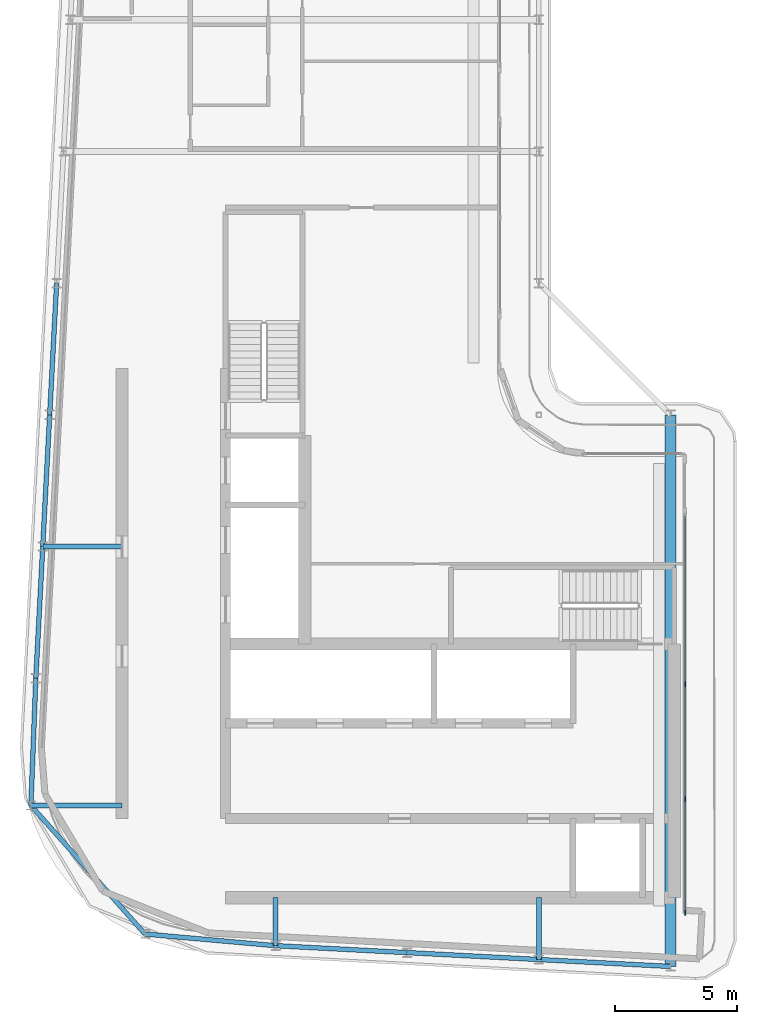
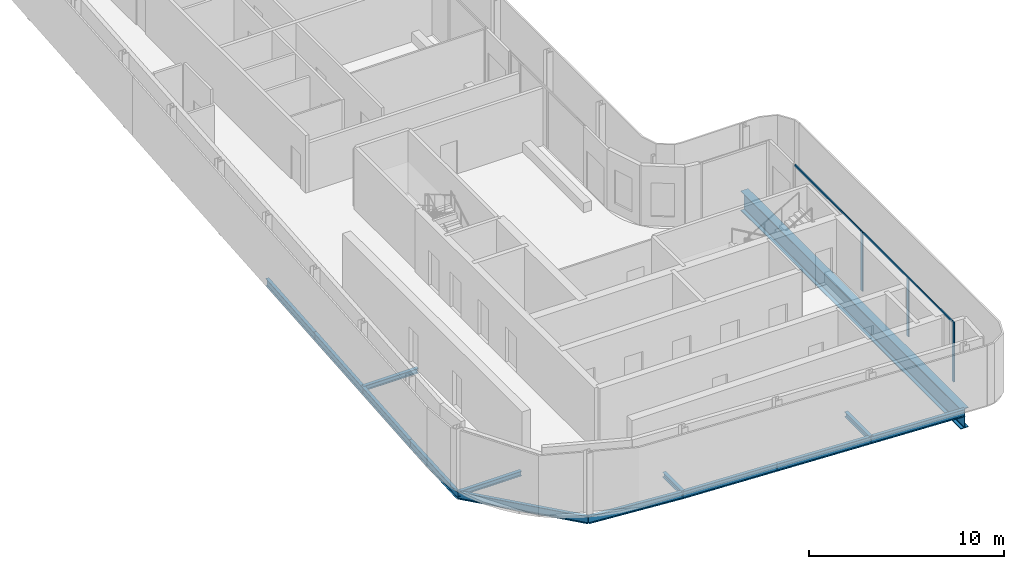
# One storey, part 4 of 18: 14 beams, 5 members, 2 elements without a shape of their own.
"""IFC4 building model written with IfcOpenShell, lengths in metres."""

from ifc_helpers import new_model, si_unit, direction, frame, origin, origin_2d, place, context, subcontext, project, spatial, rectangle, i_section, extrude, material, layer, layer_set, material_profile, profile_set, type_object, element, aggregate, save


model = new_model("IFC4")

# Units and contexts
model_context = context("Model", 3, precision=1e-05, world=origin(), true_north=direction((0.0, 1.0)))
body_context = subcontext(model_context, "Body", "Model", "MODEL_VIEW")
ifc_project = project(units=[si_unit("LENGTHUNIT", "METRE"), si_unit("AREAUNIT", "SQUARE_METRE"), si_unit("VOLUMEUNIT", "CUBIC_METRE"), si_unit("PLANEANGLEUNIT", "RADIAN"), si_unit("MASSUNIT", "GRAM", prefix="KILO")], contexts=[model_context])

# Site, building, storey
site_placement = place(None, origin())
site = spatial("IfcSite", under=ifc_project, at=site_placement, CompositionType="ELEMENT")
building_placement = place(site_placement, origin())
building = spatial("IfcBuilding", under=site, at=building_placement, Name="Kheshtan School and Residences Tower", CompositionType="ELEMENT")
storey_placement = place(building_placement, frame((0.0, 0.0, 365.60009765625)))
storey = spatial("IfcBuildingStorey", under=building, at=storey_placement, Name="L86", CompositionType="ELEMENT", Elevation=365.60009765625)

# Beams
ifc_material_1 = material(Name="Steel ASTM A992 Grade 50", Category="steel")
ifc_material_profile_1 = material_profile(ifc_material_1, i_section(OverallWidth=0.202880859375, OverallDepth=0.302978515625, WebThickness=0.007568359375, FlangeThickness=0.01318359375, FilletRadius=0.009033203125, at=origin_2d()), Name="W310x60")
ifc_profile_set_1 = profile_set([ifc_material_profile_1], Name="Steel ASTM A992 Grade 50")
beam_type_1 = type_object("IfcBeamType", Name="Beam FB1 W310x60 ASTM A992 Grade 50", PredefinedType="BEAM", material=ifc_profile_set_1)
beam_1_placement = place(storey_placement, frame((47.60009765625, 23.263916015625, -0.301513671875), z_axis=(0.0, 1.0, 0.0), x_axis=(-1.0, 0.0, 0.0)))
element("IfcBeam", 1, at=beam_1_placement, inside=storey, type_object=beam_type_1, Name="Floor beam C020", PredefinedType="BEAM", context=body_context, shape_type="SweptSolid", body=[
    extrude(i_section(OverallWidth=0.202880859375, OverallDepth=0.302978515625, WebThickness=0.007568359375, FlangeThickness=0.01318359375, FilletRadius=0.009033203125, at=origin_2d()), origin(), (0.0, 0.0, 1.0), 2.5361328125),
])
beam_2_placement = place(storey_placement, frame((36.800048828125, 23.83203125, -0.301513671875), z_axis=(0.0, 1.0, 0.0), x_axis=(-1.0, 0.0, 0.0)))
element("IfcBeam", 2, at=beam_2_placement, inside=storey, type_object=beam_type_1, Name="Floor beam C022", PredefinedType="BEAM", context=body_context, shape_type="SweptSolid", body=[
    extrude(i_section(OverallWidth=0.202880859375, OverallDepth=0.302978515625, WebThickness=0.007568359375, FlangeThickness=0.01318359375, FilletRadius=0.009033203125, at=origin_2d()), origin(), (0.0, 0.0, 1.0), 1.968017578125),
])
beam_3_placement = place(storey_placement, frame((26.76708984375, 29.58203125, -0.301513671875), z_axis=(1.0, 0.0, 0.0), x_axis=(0.0, 1.0, 0.0)))
element("IfcBeam", 3, at=beam_3_placement, inside=storey, type_object=beam_type_1, Name="Floor beam C048", PredefinedType="BEAM", context=body_context, shape_type="SweptSolid", body=[
    extrude(i_section(OverallWidth=0.202880859375, OverallDepth=0.302978515625, WebThickness=0.007568359375, FlangeThickness=0.01318359375, FilletRadius=0.009033203125, at=origin_2d()), origin(), (0.0, 0.0, 1.0), 3.73291015625),
])
beam_4_placement = place(storey_placement, frame((27.2529296875, 40.199951171875, -0.301513671875), z_axis=(1.0, 0.0, 0.0), x_axis=(0.0, 1.0, 0.0)))
element("IfcBeam", 4, at=beam_4_placement, inside=storey, type_object=beam_type_1, Name="Floor beam C056", PredefinedType="BEAM", context=body_context, shape_type="SweptSolid", body=[
    extrude(i_section(OverallWidth=0.202880859375, OverallDepth=0.302978515625, WebThickness=0.007568359375, FlangeThickness=0.01318359375, FilletRadius=0.009033203125, at=origin_2d()), origin(), (0.0, 0.0, 1.0), 3.2470703125),
])
ifc_material_profile_2 = material_profile(ifc_material_1, i_section(OverallWidth=0.18994140625, OverallDepth=0.45703125, WebThickness=0.009033203125, FlangeThickness=0.014404296875, FilletRadius=0.01318359375, at=origin_2d()), Name="W460x74")
ifc_profile_set_2 = profile_set([ifc_material_profile_2], Name="Steel ASTM A992 Grade 50")
beam_type_2 = type_object("IfcBeamType", Name="Beam SP4 W460x74 ASTM A992 Grade 50", PredefinedType="BEAM", material=ifc_profile_set_2)
beam_5_placement = place(storey_placement, frame((53.0, 22.97998046875, -0.378662109375), z_axis=(-0.998620447272, 0.05250906864, 0.0), x_axis=(-0.05250906864, -0.998620447272, 0.0)))
element("IfcBeam", 5, at=beam_5_placement, inside=storey, type_object=beam_type_2, Name="Spandrel beam C019-C020", PredefinedType="BEAM", context=body_context, shape_type="SweptSolid", body=[
    extrude(i_section(OverallWidth=0.18994140625, OverallDepth=0.45703125, WebThickness=0.009033203125, FlangeThickness=0.014404296875, FilletRadius=0.01318359375, at=origin_2d()), origin(), (0.0, 0.0, 1.0), 5.407470703125),
])
beam_6_placement = place(storey_placement, frame((47.60009765625, 23.263916015625, -0.378662109375), z_axis=(-0.998618203458, 0.052551724256, 0.0), x_axis=(-0.052551724256, -0.998618203458, 0.0)))
element("IfcBeam", 6, at=beam_6_placement, inside=storey, type_object=beam_type_2, Name="Spandrel beam C020-C021", PredefinedType="BEAM", context=body_context, shape_type="SweptSolid", body=[
    extrude(i_section(OverallWidth=0.18994140625, OverallDepth=0.45703125, WebThickness=0.009033203125, FlangeThickness=0.014404296875, FilletRadius=0.01318359375, at=origin_2d()), origin(), (0.0, 0.0, 1.0), 5.40771484375),
])
beam_7_placement = place(storey_placement, frame((42.199951171875, 23.548095703125, -0.378662109375), z_axis=(-0.998620447272, 0.05250906864, 0.0), x_axis=(-0.05250906864, -0.998620447272, 0.0)))
element("IfcBeam", 7, at=beam_7_placement, inside=storey, type_object=beam_type_2, Name="Spandrel beam C021-C022", PredefinedType="BEAM", context=body_context, shape_type="SweptSolid", body=[
    extrude(i_section(OverallWidth=0.18994140625, OverallDepth=0.45703125, WebThickness=0.009033203125, FlangeThickness=0.014404296875, FilletRadius=0.01318359375, at=origin_2d()), origin(), (0.0, 0.0, 1.0), 5.407470703125),
])
beam_8_placement = place(storey_placement, frame((36.800048828125, 23.83203125, -0.378662109375), z_axis=(-0.996036411806, 0.088946424077, 0.0), x_axis=(-0.088946424077, -0.996036411806, 0.0)))
element("IfcBeam", 8, at=beam_8_placement, inside=storey, type_object=beam_type_2, Name="Spandrel beam C022-C034", PredefinedType="BEAM", context=body_context, shape_type="SweptSolid", body=[
    extrude(i_section(OverallWidth=0.18994140625, OverallDepth=0.45703125, WebThickness=0.009033203125, FlangeThickness=0.014404296875, FilletRadius=0.01318359375, at=origin_2d()), origin(), (0.0, 0.0, 1.0), 5.374267578125),
])
beam_9_placement = place(storey_placement, frame((31.447021484375, 24.31005859375, -0.378662109375), z_axis=(-0.663867136248, 0.747850536812, 0.0), x_axis=(-0.747850536812, -0.663867136248, 0.0)))
element("IfcBeam", 9, at=beam_9_placement, inside=storey, type_object=beam_type_2, Name="Spandrel beam C034-C048", PredefinedType="BEAM", context=body_context, shape_type="SweptSolid", body=[
    extrude(i_section(OverallWidth=0.18994140625, OverallDepth=0.45703125, WebThickness=0.009033203125, FlangeThickness=0.014404296875, FilletRadius=0.01318359375, at=origin_2d()), origin(), (0.0, 0.0, 1.0), 7.049560546875),
])
beam_10_placement = place(storey_placement, frame((26.76708984375, 29.58203125, -0.378662109375), z_axis=(0.038664745323, 0.999252239161, 0.0), x_axis=(-0.999252239161, 0.038664745323, 0.0)))
element("IfcBeam", 10, at=beam_10_placement, inside=storey, type_object=beam_type_2, Name="Spandrel beam C048-C052", PredefinedType="BEAM", context=body_context, shape_type="SweptSolid", body=[
    extrude(i_section(OverallWidth=0.18994140625, OverallDepth=0.45703125, WebThickness=0.009033203125, FlangeThickness=0.014404296875, FilletRadius=0.01318359375, at=origin_2d()), origin(), (0.0, 0.0, 1.0), 5.221923828125),
])
beam_11_placement = place(storey_placement, frame((26.968994140625, 34.800048828125, -0.378662109375), z_axis=(0.05250906864, 0.998620447272, 0.0), x_axis=(-0.998620447272, 0.05250906864, 0.0)))
element("IfcBeam", 11, at=beam_11_placement, inside=storey, type_object=beam_type_2, Name="Spandrel beam C052-C056", PredefinedType="BEAM", context=body_context, shape_type="SweptSolid", body=[
    extrude(i_section(OverallWidth=0.18994140625, OverallDepth=0.45703125, WebThickness=0.009033203125, FlangeThickness=0.014404296875, FilletRadius=0.01318359375, at=origin_2d()), origin(), (0.0, 0.0, 1.0), 5.407470703125),
])
beam_12_placement = place(storey_placement, frame((27.2529296875, 40.199951171875, -0.378662109375), z_axis=(0.052551724256, 0.998618203458, 0.0), x_axis=(-0.998618203458, 0.052551724256, 0.0)))
element("IfcBeam", 12, at=beam_12_placement, inside=storey, type_object=beam_type_2, Name="Spandrel beam C056-C059", PredefinedType="BEAM", context=body_context, shape_type="SweptSolid", body=[
    extrude(i_section(OverallWidth=0.18994140625, OverallDepth=0.45703125, WebThickness=0.009033203125, FlangeThickness=0.014404296875, FilletRadius=0.01318359375, at=origin_2d()), origin(), (0.0, 0.0, 1.0), 5.40771484375),
])
beam_13_placement = place(storey_placement, frame((27.537109375, 45.60009765625, -0.378662109375), z_axis=(0.052689166816, 0.998610961136, 0.0), x_axis=(-0.998610961136, 0.052689166816, 0.0)))
element("IfcBeam", 13, at=beam_13_placement, inside=storey, type_object=beam_type_2, Name="Spandrel beam C059-C078", PredefinedType="BEAM", context=body_context, shape_type="SweptSolid", body=[
    extrude(i_section(OverallWidth=0.18994140625, OverallDepth=0.45703125, WebThickness=0.009033203125, FlangeThickness=0.014404296875, FilletRadius=0.01318359375, at=origin_2d()), origin(), (0.0, 0.0, 1.0), 5.407470703125),
])

# Curtain wall, member
ifc_material_2 = material(Name="Clear low-e glass in thermally broken aluminium frame", Category="aluminium")
ifc_layer = layer(ifc_material_2, 0.199951171875)
ifc_layer_set = layer_set([ifc_layer], Name="Curtain wall CW-L")
curtain_wall_type = type_object("IfcCurtainWallType", Name="Curtain wall CW-L", PredefinedType="NOTDEFINED", material=ifc_layer_set)
curtain_wall_1_placement = place(storey_placement, origin())
curtain_wall_1 = element("IfcCurtainWall", 14, at=curtain_wall_1_placement, inside=storey, type_object=curtain_wall_type, Name="Curtain wall CWL13h", PredefinedType="NOTDEFINED")
ifc_material_3 = material(Name="Thermally broken aluminium, dark bronze anodised", Category="aluminium")
ifc_material_profile_3 = material_profile(ifc_material_3, rectangle(XDim=0.06005859375, YDim=0.199951171875, at=origin_2d()), Name="CW-L mullion 60x200")
ifc_profile_set_3 = profile_set([ifc_material_profile_3], Name="Thermally broken aluminium, dark bronze anodised")
member_type_1 = type_object("IfcMemberType", Name="CW-L mullion 60x200", PredefinedType="MULLION", material=ifc_profile_set_3)
member_1_placement = place(storey_placement, frame((53.60009765625, 34.55810546875, 0.0), z_axis=(0.0, 0.0, 1.0), x_axis=(1.0, 0.0, 0.0)))
member_1 = element("IfcMember", 15, at=member_1_placement, type_object=member_type_1, Name="CWL13h mullion 2", PredefinedType="MULLION", context=body_context, shape_type="SweptSolid", body=[
    extrude(rectangle(XDim=0.06005859375, YDim=0.199951171875, at=origin_2d()), origin(), (0.0, 0.0, 1.0), 3.75),
])

# Curtain wall, members
curtain_wall_2_placement = place(storey_placement, origin())
curtain_wall_2 = element("IfcCurtainWall", 16, at=curtain_wall_2_placement, inside=storey, type_object=curtain_wall_type, Name="Curtain wall CWL13i", PredefinedType="NOTDEFINED")
member_2_placement = place(storey_placement, frame((53.60009765625, 29.842041015625, 0.0), z_axis=(0.0, 0.0, 1.0), x_axis=(1.0, 0.0, 0.0)))
member_2 = element("IfcMember", 17, at=member_2_placement, type_object=member_type_1, Name="CWL13i mullion 2", PredefinedType="MULLION", context=body_context, shape_type="SweptSolid", body=[
    extrude(rectangle(XDim=0.06005859375, YDim=0.199951171875, at=origin_2d()), origin(), (0.0, 0.0, 1.0), 3.6298828125),
])
member_3_placement = place(storey_placement, frame((53.60009765625, 25.18603515625, 0.0), z_axis=(0.0, 0.0, 1.0), x_axis=(1.0, 0.0, 0.0)))
member_3 = element("IfcMember", 18, at=member_3_placement, type_object=member_type_1, Name="CWL13i mullion 3", PredefinedType="MULLION", context=body_context, shape_type="SweptSolid", body=[
    extrude(rectangle(XDim=0.06005859375, YDim=0.199951171875, at=origin_2d()), origin(), (0.0, 0.0, 1.0), 3.75),
])

# Member
ifc_material_profile_4 = material_profile(ifc_material_3, rectangle(XDim=0.06005859375, YDim=0.1201171875, at=origin_2d()), Name="CW-L transom 60x120")
ifc_profile_set_4 = profile_set([ifc_material_profile_4], Name="Thermally broken aluminium, dark bronze anodised")
member_type_2 = type_object("IfcMemberType", Name="CW-L transom 60x120", PredefinedType="USERDEFINED", material=ifc_profile_set_4)
member_4_placement = place(storey_placement, frame((53.60009765625, 41.43994140625, 3.68994140625), z_axis=(0.0, -1.0, 0.0), x_axis=(1.0, 0.0, 0.0)))
member_4 = element("IfcMember", 19, at=member_4_placement, type_object=member_type_2, Name="CWL13h transom 1", ObjectType="TRANSOM", PredefinedType="USERDEFINED", context=body_context, shape_type="SweptSolid", body=[
    extrude(rectangle(XDim=0.06005859375, YDim=0.1201171875, at=origin_2d()), origin(), (0.0, 0.0, 1.0), 6.85205078125),
])

aggregate(curtain_wall_1, [member_1, member_4])

member_5_placement = place(storey_placement, frame((53.60009765625, 34.528076171875, 3.68994140625), z_axis=(0.0, -1.0, 0.0), x_axis=(1.0, 0.0, 0.0)))
member_5 = element("IfcMember", 20, at=member_5_placement, type_object=member_type_2, Name="CWL13i transom 1", ObjectType="TRANSOM", PredefinedType="USERDEFINED", context=body_context, shape_type="SweptSolid", body=[
    extrude(rectangle(XDim=0.06005859375, YDim=0.1201171875, at=origin_2d()), origin(), (0.0, 0.0, 1.0), 9.31201171875),
])

aggregate(curtain_wall_2, [member_2, member_3, member_5])

# Beam
ifc_material_profile_5 = material_profile(ifc_material_1, i_section(OverallWidth=0.449951171875, OverallDepth=1.25, WebThickness=0.02490234375, FlangeThickness=0.044921875, FilletRadius=0.03759765625, at=origin_2d()), Name="WWF1250x546")
ifc_profile_set_5 = profile_set([ifc_material_profile_5], Name="Steel ASTM A992 Grade 50")
beam_type_3 = type_object("IfcBeamType", Name="Transfer girder TG4 WWF1250x546 ASTM A992 Grade 50", PredefinedType="BEAM", material=ifc_profile_set_5)
beam_14_placement = place(storey_placement, frame((53.0, 45.60009765625, -0.775146484375), z_axis=(0.0, -1.0, 0.0), x_axis=(1.0, 0.0, 0.0)))
element("IfcBeam", 21, at=beam_14_placement, inside=storey, type_object=beam_type_3, Name="Transfer girder C061-C019", PredefinedType="BEAM", context=body_context, shape_type="SweptSolid", body=[
    extrude(i_section(OverallWidth=0.449951171875, OverallDepth=1.25, WebThickness=0.02490234375, FlangeThickness=0.044921875, FilletRadius=0.03759765625, at=origin_2d()), origin(), (0.0, 0.0, 1.0), 22.6201171875),
])

save(model, "model.ifc")
